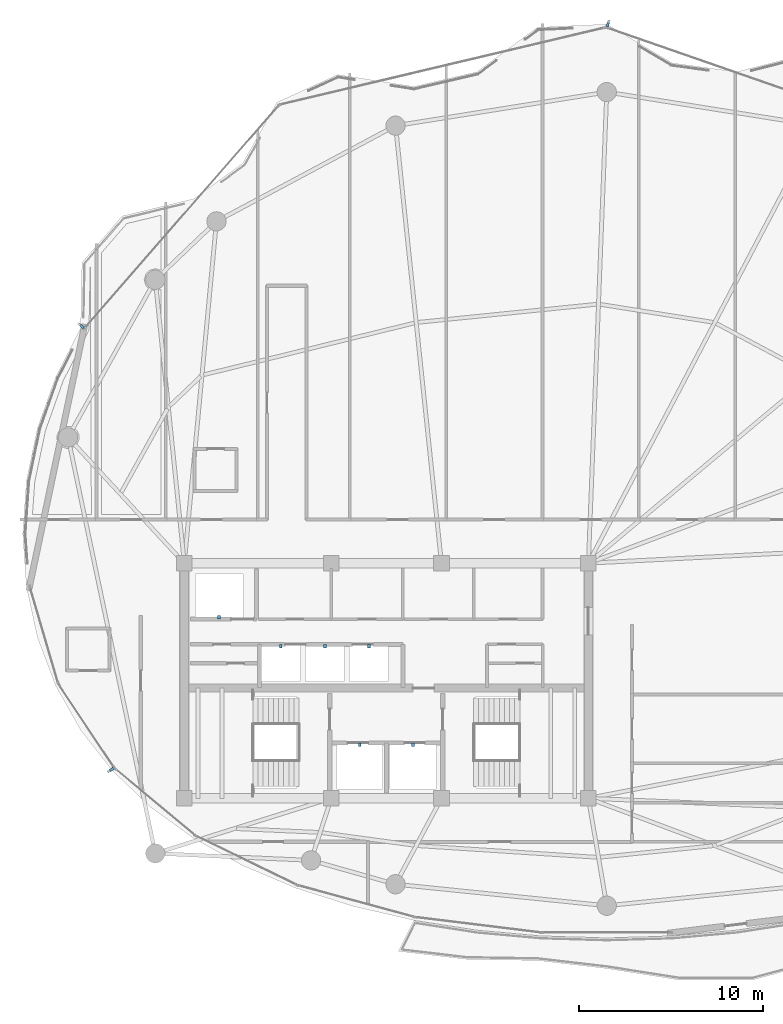
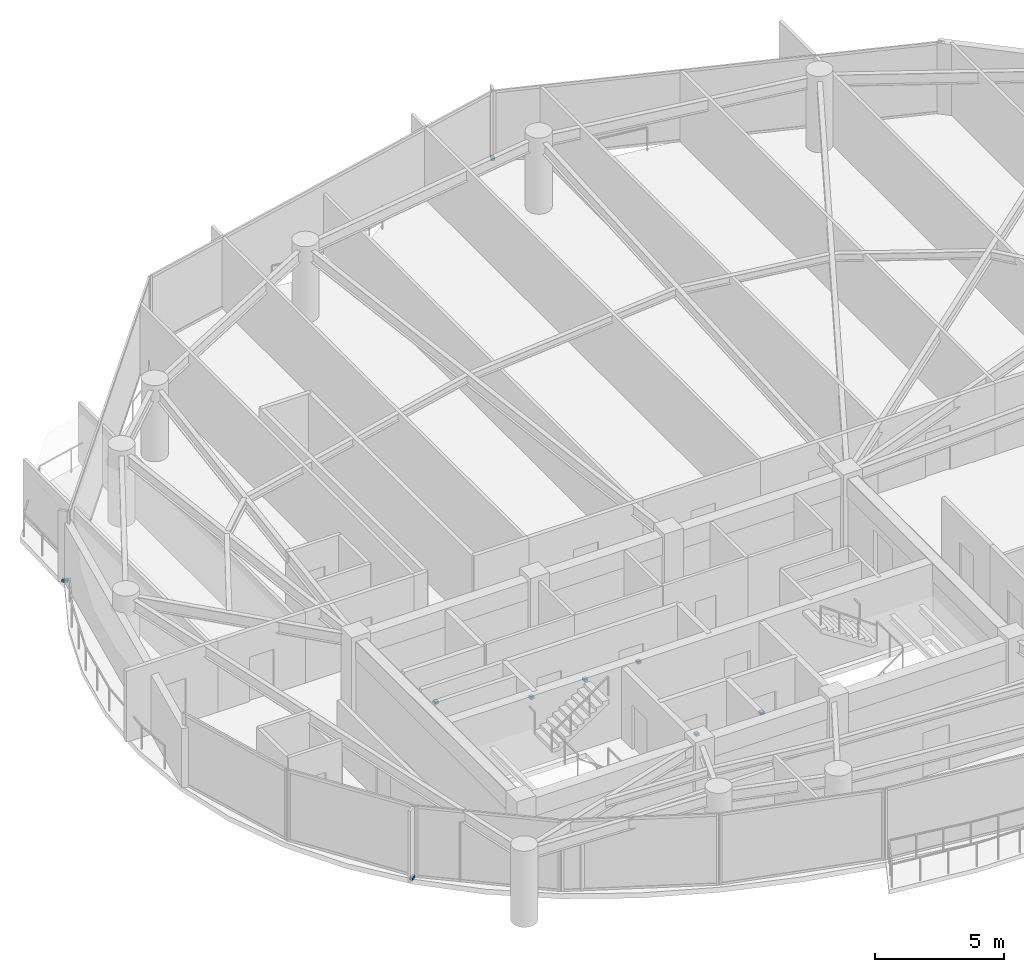
# One storey, part 26 of 29: 9 discrete accessories.
"""IFC4 building model written with IfcOpenShell, lengths in metres."""

from ifc_helpers import new_model, si_unit, direction, frame, origin, origin_2d, place, context, subcontext, project, spatial, rectangle, extrude, material, type_object, element, save


model = new_model("IFC4")

# Units and contexts
model_context = context("Model", 3, precision=1e-05, world=origin(), true_north=direction((0.0, 1.0)))
body_context = subcontext(model_context, "Body", "Model", "MODEL_VIEW")
ifc_project = project(units=[si_unit("LENGTHUNIT", "METRE"), si_unit("AREAUNIT", "SQUARE_METRE"), si_unit("VOLUMEUNIT", "CUBIC_METRE"), si_unit("PLANEANGLEUNIT", "RADIAN"), si_unit("MASSUNIT", "GRAM", prefix="KILO")], contexts=[model_context])

# Site, building, storey
site_placement = place(None, origin())
site = spatial("IfcSite", under=ifc_project, at=site_placement, CompositionType="ELEMENT")
building_placement = place(site_placement, origin())
building = spatial("IfcBuilding", under=site, at=building_placement, Name="Kazevale Care Tower and Concert Hall", CompositionType="ELEMENT")
storey_placement = place(building_placement, frame((0.0, 0.0, 199.199951171875)))
storey = spatial("IfcBuildingStorey", under=building, at=storey_placement, Name="L52", CompositionType="ELEMENT", Elevation=199.199951171875)

# Discrete accessories
ifc_material = material(Name="Stainless Steel 316", Category="steel")
discrete_accessory_type_1 = type_object("IfcDiscreteAccessoryType", Name="Facade Fin Stainless Anchor Bracket BRK-1", PredefinedType="BRACKET", material=ifc_material)
for number, where, z_axis, x_axis, name in (
    (1, (18.04443359375, 25.1689453125, 0.0), (0.0, 0.0, 1.0), (-0.832147748683, -0.554553986878, 0.0), "cw:L52:f11:brk"),
    (2, (16.42626953125, 49.291015625, 0.0), (0.0, 0.0, 1.0), (-0.753792813636, 0.657112162503, 0.0), "cw:L52:f14:brk"),
    (3, (45.047607421875, 65.71533203125, 0.0), (0.0, 0.0, 1.0), (0.328536977169, 0.944491108816, 0.0), "cw:L52:f16:brk"),
):
    element("IfcDiscreteAccessory", number, at=place(storey_placement, frame(where, z_axis=z_axis, x_axis=x_axis)), inside=storey, type_object=discrete_accessory_type_1, Name=name, PredefinedType="BRACKET", context=body_context, shape_type="SweptSolid", body=[
        extrude(rectangle(XDim=0.239990234375, YDim=0.139892578125, at=origin_2d()), origin(), (0.0, 0.0, 1.0), 0.1201171875),
    ])
discrete_accessory_type_2 = type_object("IfcDiscreteAccessoryType", Name="Hoistway Guide-Rail Wall Bracket HBRK-1", PredefinedType="BRACKET", material=ifc_material)
for number, where, z_axis, x_axis, name in (
    (4, (31.550048828125, 26.52001953125, 1.239990234375), (0.0, 0.0, 1.0), (1.0, 0.0, 0.0), "hbrk:FFL-1:L52"),
    (5, (34.449951171875, 26.52001953125, 1.239990234375), (0.0, 0.0, 1.0), (1.0, 0.0, 0.0), "hbrk:FFL-2:L52"),
    (6, (23.89990234375, 33.449951171875, 1.239990234375), (0.0, 0.0, 1.0), (1.0, 0.0, 0.0), "hbrk:SVL-1:L52"),
    (7, (27.25, 31.8798828125, 1.239990234375), (0.0, 0.0, 1.0), (1.0, 0.0, 0.0), "hbrk:PH-1:L52"),
    (8, (29.64990234375, 31.8798828125, 1.239990234375), (0.0, 0.0, 1.0), (1.0, 0.0, 0.0), "hbrk:PH-2:L52"),
    (9, (32.050048828125, 31.8798828125, 1.239990234375), (0.0, 0.0, 1.0), (1.0, 0.0, 0.0), "hbrk:PH-3:L52"),
):
    element("IfcDiscreteAccessory", number, at=place(storey_placement, frame(where, z_axis=z_axis, x_axis=x_axis)), inside=storey, type_object=discrete_accessory_type_2, Name=name, PredefinedType="BRACKET", context=body_context, shape_type="SweptSolid", body=[
        extrude(rectangle(XDim=0.159912109375, YDim=0.179931640625, at=origin_2d()), origin(), (0.0, 0.0, 1.0), 0.1201171875),
    ])

save(model, "model.ifc")
